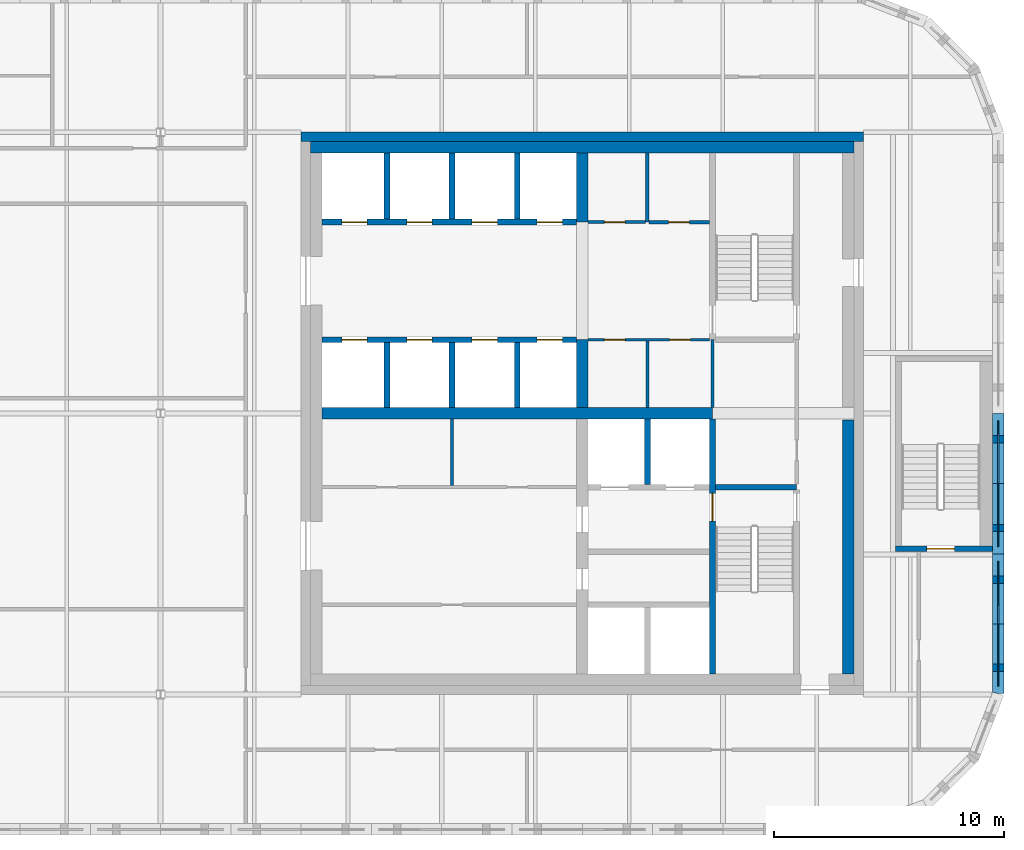
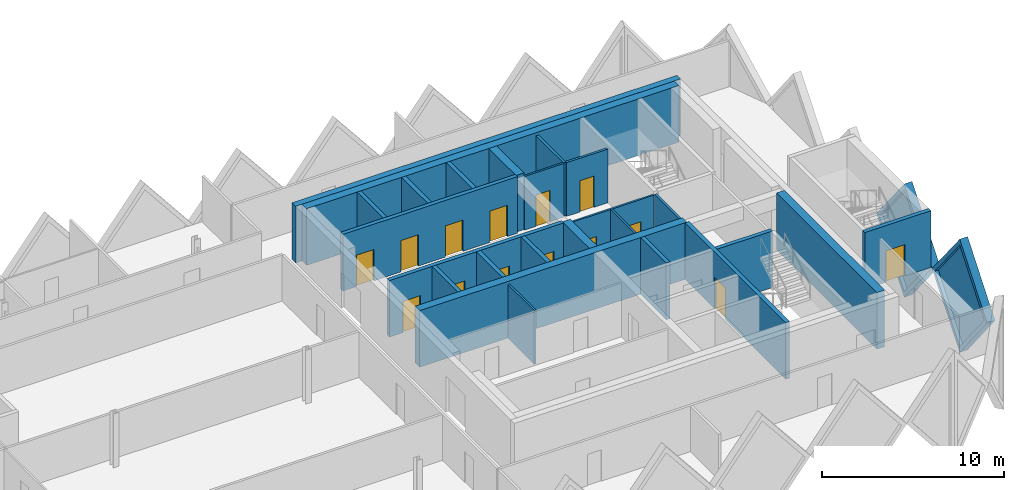
# One storey, part 6 of 10: 27 walls, 14 doors, 2 plates, 16 openings.
"""IFC4 building model written with IfcOpenShell, lengths in metres."""

from ifc_helpers import new_model, si_unit, direction, frame, frame_2d, origin, place, context, subcontext, project, spatial, polyline, rectangle, outline, extrude, faceted_brep, source, transform, mapped, material, layer, layer_set, type_object, element, fill, save


model = new_model("IFC4")

# Units and contexts
model_context = context("Model", 3, precision=1e-05, world=origin(), true_north=direction((0.0, 1.0)))
body_context = subcontext(model_context, "Body", "Model", "MODEL_VIEW")
ifc_project = project(units=[si_unit("LENGTHUNIT", "METRE"), si_unit("AREAUNIT", "SQUARE_METRE"), si_unit("VOLUMEUNIT", "CUBIC_METRE"), si_unit("PLANEANGLEUNIT", "RADIAN"), si_unit("MASSUNIT", "GRAM", prefix="KILO")], contexts=[model_context])

# Site, building, storey
site_placement = place(None, origin())
site = spatial("IfcSite", under=ifc_project, at=site_placement, CompositionType="ELEMENT")
building_placement = place(site_placement, origin())
building = spatial("IfcBuilding", under=site, at=building_placement, Name="Tessera Gate Towers", CompositionType="ELEMENT")
storey_placement = place(building_placement, frame((0.0, 0.0, 252.10009765625)))
storey = spatial("IfcBuildingStorey", under=building, at=storey_placement, Name="L63", CompositionType="ELEMENT", Elevation=252.10009765625)

# Wall, openings, doors
ifc_material_1 = material(Name="Concrete C40/50", Category="concrete")
ifc_layer_1 = layer(ifc_material_1, 0.25)
ifc_layer_set_1 = layer_set([ifc_layer_1], Name="CORE ENCLOSURE WALL 250")
wall_type_1 = type_object("IfcWallType", Name="CORE ENCLOSURE WALL 250", PredefinedType="SOLIDWALL", material=ifc_layer_set_1)
wall_1_placement = place(storey_placement, frame((31.39990234375, 39.800048828125, 0.0), z_axis=(0.0, 0.0, 1.0), x_axis=(1.0, 0.0, 0.0)))
wall_1 = element("IfcWall", 1, at=wall_1_placement, inside=storey, type_object=wall_type_1, Name="L63 shaft and stair enclosure wall", PredefinedType="SOLIDWALL", context=body_context, shape_type="SweptSolid", body=[
    extrude(rectangle(XDim=11.050048828125, YDim=0.25, at=frame_2d((5.52490234375, 0.0))), origin(), (0.0, 0.0, 1.0), 3.7998046875),
])
shared_shape_1 = source(origin(), body_context, "Body", "SweptSolid", [
    extrude(rectangle(XDim=1.10009765625, YDim=2.10009765625, at=frame_2d((0.550048828125, 1.050048828125))), frame((0.0, 0.135009765625, 0.0), z_axis=(0.0, -1.0, 0.0), x_axis=(1.0, 0.0, 0.0)), (0.0, 0.0, 1.0), 0.27001953125),
])
opening_1_placement = place(wall_1_placement, frame((0.862548828125, 0.0, 0.0)))
opening_1 = element("IfcOpeningElement", 2, at=opening_1_placement, cuts=wall_1, Name="Opening LD-HR1", PredefinedType="OPENING", context=body_context, shape_type="MappedRepresentation", body=[
    mapped(shared_shape_1, transform((0.0, 0.0, 0.0), scale=1.0)),
])
opening_2_placement = place(wall_1_placement, frame((3.6875, 0.0, 0.0)))
opening_2 = element("IfcOpeningElement", 3, at=opening_2_placement, cuts=wall_1, Name="Opening LD-HR2", PredefinedType="OPENING", context=body_context, shape_type="MappedRepresentation", body=[
    mapped(shared_shape_1, transform((0.0, 0.0, 0.0), scale=1.0)),
])
opening_3_placement = place(wall_1_placement, frame((6.512451171875, 0.0, 0.0)))
opening_3 = element("IfcOpeningElement", 4, at=opening_3_placement, cuts=wall_1, Name="Opening LD-HR3", PredefinedType="OPENING", context=body_context, shape_type="MappedRepresentation", body=[
    mapped(shared_shape_1, transform((0.0, 0.0, 0.0), scale=1.0)),
])
opening_4_placement = place(wall_1_placement, frame((9.33740234375, 0.0, 0.0)))
opening_4 = element("IfcOpeningElement", 5, at=opening_4_placement, cuts=wall_1, Name="Opening LD-HR4", PredefinedType="OPENING", context=body_context, shape_type="MappedRepresentation", body=[
    mapped(shared_shape_1, transform((0.0, 0.0, 0.0), scale=1.0)),
])
ifc_material_2 = material(Name="Stainless steel", Category="steel")
door_type_1 = type_object("IfcDoorType", Name="CORE DOOR LD 1100x2100", OperationType="DOUBLE_DOOR_SLIDING", PredefinedType="DOOR", material=ifc_material_2)
shared_shape_2 = source(origin(), body_context, "Body", "SweptSolid", [
    extrude(rectangle(XDim=1.10009765625, YDim=2.10009765625, at=frame_2d((0.550048828125, 1.050048828125))), frame((0.0, 0.02490234375, 0.0), z_axis=(0.0, -1.0, 0.0), x_axis=(1.0, 0.0, 0.0)), (0.0, 0.0, 1.0), 0.050048828125),
])
door_1_placement = place(opening_1_placement, origin())
door_1 = element("IfcDoor", 6, at=door_1_placement, inside=storey, type_object=door_type_1, Name="Landing door HR1 L63", OperationType="DOUBLE_DOOR_SLIDING", OverallHeight=2.10009765625, OverallWidth=1.10009765625, PredefinedType="DOOR", context=body_context, shape_type="MappedRepresentation", body=[
    mapped(shared_shape_2, transform((0.0, 0.0, 0.0), scale=1.0)),
])
fill(opening_1, door_1)
door_2_placement = place(opening_2_placement, origin())
door_2 = element("IfcDoor", 7, at=door_2_placement, inside=storey, type_object=door_type_1, Name="Landing door HR2 L63", OperationType="DOUBLE_DOOR_SLIDING", OverallHeight=2.10009765625, OverallWidth=1.10009765625, PredefinedType="DOOR", context=body_context, shape_type="MappedRepresentation", body=[
    mapped(shared_shape_2, transform((0.0, 0.0, 0.0), scale=1.0)),
])
fill(opening_2, door_2)
door_3_placement = place(opening_3_placement, origin())
door_3 = element("IfcDoor", 8, at=door_3_placement, inside=storey, type_object=door_type_1, Name="Landing door HR3 L63", OperationType="DOUBLE_DOOR_SLIDING", OverallHeight=2.10009765625, OverallWidth=1.10009765625, PredefinedType="DOOR", context=body_context, shape_type="MappedRepresentation", body=[
    mapped(shared_shape_2, transform((0.0, 0.0, 0.0), scale=1.0)),
])
fill(opening_3, door_3)
door_4_placement = place(opening_4_placement, origin())
door_4 = element("IfcDoor", 9, at=door_4_placement, inside=storey, type_object=door_type_1, Name="Landing door HR4 L63", OperationType="DOUBLE_DOOR_SLIDING", OverallHeight=2.10009765625, OverallWidth=1.10009765625, PredefinedType="DOOR", context=body_context, shape_type="MappedRepresentation", body=[
    mapped(shared_shape_2, transform((0.0, 0.0, 0.0), scale=1.0)),
])
fill(opening_4, door_4)

wall_2_placement = place(storey_placement, frame((42.449951171875, 44.89990234375, 0.0), z_axis=(0.0, 0.0, 1.0), x_axis=(-1.0, 0.0, 0.0)))
wall_2 = element("IfcWall", 10, at=wall_2_placement, inside=storey, type_object=wall_type_1, Name="L63 shaft and stair enclosure wall", PredefinedType="SOLIDWALL", context=body_context, shape_type="SweptSolid", body=[
    extrude(rectangle(XDim=11.050048828125, YDim=0.25, at=frame_2d((5.52490234375, 0.0))), origin(), (0.0, 0.0, 1.0), 3.7998046875),
])
opening_5_placement = place(wall_2_placement, frame((9.08740234375, 0.0, 0.0)))
opening_5 = element("IfcOpeningElement", 11, at=opening_5_placement, cuts=wall_2, Name="Opening LD-HR5", PredefinedType="OPENING", context=body_context, shape_type="MappedRepresentation", body=[
    mapped(shared_shape_1, transform((0.0, 0.0, 0.0), scale=1.0)),
])
opening_6_placement = place(wall_2_placement, frame((6.262451171875, 0.0, 0.0)))
opening_6 = element("IfcOpeningElement", 12, at=opening_6_placement, cuts=wall_2, Name="Opening LD-HR6", PredefinedType="OPENING", context=body_context, shape_type="MappedRepresentation", body=[
    mapped(shared_shape_1, transform((0.0, 0.0, 0.0), scale=1.0)),
])
opening_7_placement = place(wall_2_placement, frame((3.4375, 0.0, 0.0)))
opening_7 = element("IfcOpeningElement", 13, at=opening_7_placement, cuts=wall_2, Name="Opening LD-HR7", PredefinedType="OPENING", context=body_context, shape_type="MappedRepresentation", body=[
    mapped(shared_shape_1, transform((0.0, 0.0, 0.0), scale=1.0)),
])
opening_8_placement = place(wall_2_placement, frame((0.612548828125, 0.0, 0.0)))
opening_8 = element("IfcOpeningElement", 14, at=opening_8_placement, cuts=wall_2, Name="Opening LD-HR8", PredefinedType="OPENING", context=body_context, shape_type="MappedRepresentation", body=[
    mapped(shared_shape_1, transform((0.0, 0.0, 0.0), scale=1.0)),
])
door_5_placement = place(opening_5_placement, origin())
door_5 = element("IfcDoor", 15, at=door_5_placement, inside=storey, type_object=door_type_1, Name="Landing door HR5 L63", OperationType="DOUBLE_DOOR_SLIDING", OverallHeight=2.10009765625, OverallWidth=1.10009765625, PredefinedType="DOOR", context=body_context, shape_type="MappedRepresentation", body=[
    mapped(shared_shape_2, transform((0.0, 0.0, 0.0), scale=1.0)),
])
fill(opening_5, door_5)
door_6_placement = place(opening_6_placement, origin())
door_6 = element("IfcDoor", 16, at=door_6_placement, inside=storey, type_object=door_type_1, Name="Landing door HR6 L63", OperationType="DOUBLE_DOOR_SLIDING", OverallHeight=2.10009765625, OverallWidth=1.10009765625, PredefinedType="DOOR", context=body_context, shape_type="MappedRepresentation", body=[
    mapped(shared_shape_2, transform((0.0, 0.0, 0.0), scale=1.0)),
])
fill(opening_6, door_6)
door_7_placement = place(opening_7_placement, origin())
door_7 = element("IfcDoor", 17, at=door_7_placement, inside=storey, type_object=door_type_1, Name="Landing door HR7 L63", OperationType="DOUBLE_DOOR_SLIDING", OverallHeight=2.10009765625, OverallWidth=1.10009765625, PredefinedType="DOOR", context=body_context, shape_type="MappedRepresentation", body=[
    mapped(shared_shape_2, transform((0.0, 0.0, 0.0), scale=1.0)),
])
fill(opening_7, door_7)
door_8_placement = place(opening_8_placement, origin())
door_8 = element("IfcDoor", 18, at=door_8_placement, inside=storey, type_object=door_type_1, Name="Landing door HR8 L63", OperationType="DOUBLE_DOOR_SLIDING", OverallHeight=2.10009765625, OverallWidth=1.10009765625, PredefinedType="DOOR", context=body_context, shape_type="MappedRepresentation", body=[
    mapped(shared_shape_2, transform((0.0, 0.0, 0.0), scale=1.0)),
])
fill(opening_8, door_8)

# Wall, opening, door
wall_3_placement = place(storey_placement, frame((48.35009765625, 36.35009765625, 0.0), z_axis=(0.0, 0.0, 1.0), x_axis=(0.0, -1.0, 0.0)))
wall_3 = element("IfcWall", 19, at=wall_3_placement, inside=storey, type_object=wall_type_1, Name="L63 shaft and stair enclosure wall", PredefinedType="SOLIDWALL", context=body_context, shape_type="SweptSolid", body=[
    extrude(rectangle(XDim=11.050048828125, YDim=0.25, at=frame_2d((5.52490234375, 0.0))), origin(), (0.0, 0.0, 1.0), 3.7998046875),
])
shared_shape_3 = source(origin(), body_context, "Body", "SweptSolid", [
    extrude(rectangle(XDim=1.199951171875, YDim=2.10009765625, at=frame_2d((0.60009765625, 1.050048828125))), frame((0.0, 0.135009765625, 0.0), z_axis=(0.0, -1.0, 0.0), x_axis=(1.0, 0.0, 0.0)), (0.0, 0.0, 1.0), 0.27001953125),
])
opening_9_placement = place(wall_3_placement, frame((3.22509765625, 0.0, 0.0)))
opening_9 = element("IfcOpeningElement", 20, at=opening_9_placement, cuts=wall_3, Name="Opening SD-ST1-1", PredefinedType="OPENING", context=body_context, shape_type="MappedRepresentation", body=[
    mapped(shared_shape_3, transform((0.0, 0.0, 0.0), scale=1.0)),
])
ifc_material_3 = material(Name="Hollow steel fire door", Category="steel")
door_type_2 = type_object("IfcDoorType", Name="CORE DOOR SD 1200x2100", OperationType="NOTDEFINED", PredefinedType="DOOR", material=ifc_material_3)
shared_shape_4 = source(origin(), body_context, "Body", "SweptSolid", [
    extrude(rectangle(XDim=1.199951171875, YDim=2.10009765625, at=frame_2d((0.60009765625, 1.050048828125))), frame((0.0, 0.02490234375, 0.0), z_axis=(0.0, -1.0, 0.0), x_axis=(1.0, 0.0, 0.0)), (0.0, 0.0, 1.0), 0.050048828125),
])
door_9_placement = place(opening_9_placement, origin())
door_9 = element("IfcDoor", 21, at=door_9_placement, inside=storey, type_object=door_type_2, Name="Stair door", OperationType="SINGLE_SWING_LEFT", OverallHeight=2.10009765625, OverallWidth=1.199951171875, PredefinedType="DOOR", context=body_context, shape_type="MappedRepresentation", body=[
    mapped(shared_shape_4, transform((0.0, 0.0, 0.0), scale=1.0)),
])
fill(opening_9, door_9)

# Walls
wall_4_placement = place(storey_placement, frame((48.47509765625, 33.39990234375, 0.0), z_axis=(0.0, 0.0, 1.0), x_axis=(1.0, 0.0, 0.0)))
element("IfcWall", 22, at=wall_4_placement, inside=storey, type_object=wall_type_1, Name="L63 shaft and stair enclosure wall", PredefinedType="SOLIDWALL", context=body_context, shape_type="SweptSolid", body=[
    extrude(rectangle(XDim=3.52490234375, YDim=0.25, at=frame_2d((1.762451171875, 0.0))), origin(), (0.0, 0.0, 1.0), 3.7998046875),
])
for number, where, z_axis, x_axis, name in (
    (23, (34.22509765625, 36.85009765625, 0.0), (0.0, 0.0, 1.0), (0.0, 1.0, 0.0), "L63 shaft and stair enclosure wall"),
    (24, (37.050048828125, 36.85009765625, 0.0), (0.0, 0.0, 1.0), (0.0, 1.0, 0.0), "L63 shaft and stair enclosure wall"),
    (25, (39.875, 36.85009765625, 0.0), (0.0, 0.0, 1.0), (0.0, 1.0, 0.0), "L63 shaft and stair enclosure wall"),
):
    element("IfcWall", number, at=place(storey_placement, frame(where, z_axis=z_axis, x_axis=x_axis)), inside=storey, type_object=wall_type_1, Name=name, PredefinedType="SOLIDWALL", context=body_context, shape_type="SweptSolid", body=[
        extrude(rectangle(XDim=2.824951171875, YDim=0.25, at=frame_2d((1.41259765625, 0.0))), origin(), (0.0, 0.0, 1.0), 3.7998046875),
    ])
wall_5_placement = place(storey_placement, frame((45.52490234375, 33.52490234375, 0.0), z_axis=(0.0, 0.0, 1.0), x_axis=(0.0, 1.0, 0.0)))
element("IfcWall", 26, at=wall_5_placement, inside=storey, type_object=wall_type_1, Name="L63 shaft and stair enclosure wall", PredefinedType="SOLIDWALL", context=body_context, shape_type="SweptSolid", body=[
    extrude(rectangle(XDim=2.8251953125, YDim=0.25, at=frame_2d((1.41259765625, 0.0))), origin(), (0.0, 0.0, 1.0), 3.7998046875),
])
for number, where, z_axis, x_axis, name in (
    (27, (34.22509765625, 45.02490234375, 0.0), (0.0, 0.0, 1.0), (0.0, 1.0, 0.0), "L63 shaft and stair enclosure wall"),
    (28, (37.050048828125, 45.02490234375, 0.0), (0.0, 0.0, 1.0), (0.0, 1.0, 0.0), "L63 shaft and stair enclosure wall"),
    (29, (39.875, 45.02490234375, 0.0), (0.0, 0.0, 1.0), (0.0, 1.0, 0.0), "L63 shaft and stair enclosure wall"),
):
    element("IfcWall", number, at=place(storey_placement, frame(where, z_axis=z_axis, x_axis=x_axis)), inside=storey, type_object=wall_type_1, Name=name, PredefinedType="SOLIDWALL", context=body_context, shape_type="SweptSolid", body=[
        extrude(rectangle(XDim=2.875, YDim=0.25, at=frame_2d((1.4375, 0.0))), origin(), (0.0, 0.0, 1.0), 3.7998046875),
    ])

# Wall, opening, door
wall_6_placement = place(storey_placement, frame((60.5, 30.72509765625, 0.0), z_axis=(0.0, 0.0, 1.0), x_axis=(-1.0, 0.0, 0.0)))
wall_6 = element("IfcWall", 30, at=wall_6_placement, inside=storey, type_object=wall_type_1, Name="L63 ST5 enclosure wall", PredefinedType="SOLIDWALL", context=body_context, shape_type="SweptSolid", body=[
    extrude(rectangle(XDim=4.199951171875, YDim=0.25, at=frame_2d((2.10009765625, 0.0))), origin(), (0.0, 0.0, 1.0), 3.7998046875),
])
opening_10_placement = place(wall_6_placement, frame((1.64990234375, 0.0, 0.0)))
opening_10 = element("IfcOpeningElement", 31, at=opening_10_placement, cuts=wall_6, Name="Opening SD-ST5-1", PredefinedType="OPENING", context=body_context, shape_type="MappedRepresentation", body=[
    mapped(shared_shape_3, transform((0.0, 0.0, 0.0), scale=1.0)),
])
door_10_placement = place(opening_10_placement, origin())
door_10 = element("IfcDoor", 32, at=door_10_placement, inside=storey, type_object=door_type_2, Name="Stair door", OperationType="SINGLE_SWING_RIGHT", OverallHeight=2.10009765625, OverallWidth=1.199951171875, PredefinedType="DOOR", context=body_context, shape_type="MappedRepresentation", body=[
    mapped(shared_shape_4, transform((0.0, 0.0, 0.0), scale=1.0)),
])
fill(opening_10, door_10)

# Wall, openings, doors
ifc_material_4 = material(Name="Gypsum board on steel studs", Category="steel")
ifc_layer_2 = layer(ifc_material_4, 0.1201171875)
ifc_layer_set_2 = layer_set([ifc_layer_2], Name="CORE PARTITION 120")
wall_type_2 = type_object("IfcWallType", Name="CORE PARTITION 120", PredefinedType="PARTITIONING", material=ifc_layer_set_2)
wall_7_placement = place(storey_placement, frame((48.22509765625, 39.800048828125, 0.0), z_axis=(0.0, 0.0, 1.0), x_axis=(-1.0, 0.0, 0.0)))
wall_7 = element("IfcWall", 33, at=wall_7_placement, inside=storey, type_object=wall_type_2, Name="L63 core partition", PredefinedType="PARTITIONING", context=body_context, shape_type="SweptSolid", body=[
    extrude(rectangle(XDim=5.275146484375, YDim=0.1201171875, at=frame_2d((2.6376953125, 0.0))), origin(), (0.0, 0.0, 1.0), 3.599853515625),
])
shared_shape_5 = source(origin(), body_context, "Body", "SweptSolid", [
    extrude(rectangle(XDim=0.89990234375, YDim=2.10009765625, at=frame_2d((0.449951171875, 1.050048828125))), frame((0.0, 0.070068359375, 0.0), z_axis=(0.0, -1.0, 0.0), x_axis=(1.0, 0.0, 0.0)), (0.0, 0.0, 1.0), 0.14013671875),
])
opening_11_placement = place(wall_7_placement, frame((3.66259765625, 0.0, 0.0)))
opening_11 = element("IfcOpeningElement", 34, at=opening_11_placement, cuts=wall_7, Name="Opening RD-T1-37-11", PredefinedType="OPENING", context=body_context, shape_type="MappedRepresentation", body=[
    mapped(shared_shape_5, transform((0.0, 0.0, 0.0), scale=1.0)),
])
opening_12_placement = place(wall_7_placement, frame((0.83740234375, 0.0, 0.0)))
opening_12 = element("IfcOpeningElement", 35, at=opening_12_placement, cuts=wall_7, Name="Opening RD-T1-37-12", PredefinedType="OPENING", context=body_context, shape_type="MappedRepresentation", body=[
    mapped(shared_shape_5, transform((0.0, 0.0, 0.0), scale=1.0)),
])
ifc_material_5 = material(Name="Hollow steel fire door", Category="steel")
door_type_3 = type_object("IfcDoorType", Name="CORE DOOR RD 900x2100", OperationType="NOTDEFINED", PredefinedType="DOOR", material=ifc_material_5)
shared_shape_6 = source(origin(), body_context, "Body", "SweptSolid", [
    extrude(rectangle(XDim=0.89990234375, YDim=2.10009765625, at=frame_2d((0.449951171875, 1.050048828125))), frame((0.0, 0.02490234375, 0.0), z_axis=(0.0, -1.0, 0.0), x_axis=(1.0, 0.0, 0.0)), (0.0, 0.0, 1.0), 0.050048828125),
])
door_11_placement = place(opening_11_placement, origin())
door_11 = element("IfcDoor", 36, at=door_11_placement, inside=storey, type_object=door_type_3, Name="Core room door", OperationType="SINGLE_SWING_RIGHT", OverallHeight=2.10009765625, OverallWidth=0.89990234375, PredefinedType="DOOR", context=body_context, shape_type="MappedRepresentation", body=[
    mapped(shared_shape_6, transform((0.0, 0.0, 0.0), scale=1.0)),
])
fill(opening_11, door_11)
door_12_placement = place(opening_12_placement, origin())
door_12 = element("IfcDoor", 37, at=door_12_placement, inside=storey, type_object=door_type_3, Name="Core room door", OperationType="SINGLE_SWING_LEFT", OverallHeight=2.10009765625, OverallWidth=0.89990234375, PredefinedType="DOOR", context=body_context, shape_type="MappedRepresentation", body=[
    mapped(shared_shape_6, transform((0.0, 0.0, 0.0), scale=1.0)),
])
fill(opening_12, door_12)

# Walls
wall_8_placement = place(storey_placement, frame((45.52490234375, 36.85009765625, 0.0), z_axis=(0.0, 0.0, 1.0), x_axis=(0.0, 1.0, 0.0)))
element("IfcWall", 38, at=wall_8_placement, inside=storey, type_object=wall_type_2, Name="L63 core partition", PredefinedType="PARTITIONING", context=body_context, shape_type="SweptSolid", body=[
    extrude(rectangle(XDim=2.889892578125, YDim=0.1201171875, at=frame_2d((1.44482421875, 0.0))), origin(), (0.0, 0.0, 1.0), 3.599853515625),
])
wall_9_placement = place(storey_placement, frame((37.050048828125, 33.4599609375, 0.0), z_axis=(0.0, 0.0, 1.0), x_axis=(0.0, 1.0, 0.0)))
element("IfcWall", 39, at=wall_9_placement, inside=storey, type_object=wall_type_2, Name="L63 core partition", PredefinedType="PARTITIONING", context=body_context, shape_type="SweptSolid", body=[
    extrude(rectangle(XDim=2.89013671875, YDim=0.1201171875, at=frame_2d((1.445068359375, 0.0))), origin(), (0.0, 0.0, 1.0), 3.599853515625),
])

# Wall, opening, door
wall_10_placement = place(storey_placement, frame((42.949951171875, 44.89990234375, 0.0), z_axis=(0.0, 0.0, 1.0), x_axis=(1.0, 0.0, 0.0)))
wall_10 = element("IfcWall", 40, at=wall_10_placement, inside=storey, type_object=wall_type_2, Name="L63 core partition", PredefinedType="PARTITIONING", context=body_context, shape_type="SweptSolid", body=[
    extrude(rectangle(XDim=2.5, YDim=0.1201171875, at=frame_2d((1.25, 0.0))), origin(), (0.0, 0.0, 1.0), 3.599853515625),
])
opening_13_placement = place(wall_10_placement, frame((0.71240234375, 0.0, 0.0)))
opening_13 = element("IfcOpeningElement", 41, at=opening_13_placement, cuts=wall_10, Name="Opening RD-T1-37-13", PredefinedType="OPENING", context=body_context, shape_type="MappedRepresentation", body=[
    mapped(shared_shape_5, transform((0.0, 0.0, 0.0), scale=1.0)),
])
door_13_placement = place(opening_13_placement, origin())
door_13 = element("IfcDoor", 42, at=door_13_placement, inside=storey, type_object=door_type_3, Name="Core room door", OperationType="SINGLE_SWING_LEFT", OverallHeight=2.10009765625, OverallWidth=0.89990234375, PredefinedType="DOOR", context=body_context, shape_type="MappedRepresentation", body=[
    mapped(shared_shape_6, transform((0.0, 0.0, 0.0), scale=1.0)),
])
fill(opening_13, door_13)

# Walls
ifc_material_6 = material(Name="Concrete C40/50", Category="concrete")
ifc_layer_3 = layer(ifc_material_6, 0.39990234375)
ifc_layer_set_3 = layer_set([ifc_layer_3], Name="CORE SHEAR WALL 400 C40/50")
wall_type_3 = type_object("IfcWallType", Name="CORE SHEAR WALL 400 C40/50", PredefinedType="SHEAR", material=ifc_layer_set_3)
wall_11_placement = place(storey_placement, frame((30.5, 48.60009765625, 0.0), z_axis=(0.0, 0.0, 1.0), x_axis=(1.0, 0.0, 0.0)))
element("IfcWall", 43, at=wall_11_placement, inside=storey, type_object=wall_type_3, Name="Core wall N L63", PredefinedType="SHEAR", context=body_context, shape_type="SweptSolid", body=[
    extrude(rectangle(XDim=24.39990234375, YDim=0.39990234375, at=frame_2d((12.199951171875, 0.0))), origin(), (0.0, 0.0, 1.0), 3.7998046875),
])
ifc_material_7 = material(Name="Concrete C40/50", Category="concrete")
ifc_layer_4 = layer(ifc_material_7, 0.5)
ifc_layer_set_4 = layer_set([ifc_layer_4], Name="CORE SPINE WALL 500 C40/50")
wall_type_4 = type_object("IfcWallType", Name="CORE SPINE WALL 500 C40/50", PredefinedType="SHEAR", material=ifc_layer_set_4)
wall_12_placement = place(storey_placement, frame((31.39990234375, 36.60009765625, 0.0), z_axis=(0.0, 0.0, 1.0), x_axis=(1.0, 0.0, 0.0)))
element("IfcWall", 44, at=wall_12_placement, inside=storey, type_object=wall_type_4, Name="Core wall spine L63", PredefinedType="SHEAR", context=body_context, shape_type="SweptSolid", body=[
    extrude(rectangle(XDim=16.9501953125, YDim=0.5, at=frame_2d((8.47509765625, 0.0))), origin(), (0.0, 0.0, 1.0), 3.7998046875),
])
wall_13_placement = place(storey_placement, frame((42.699951171875, 36.85009765625, 0.0), z_axis=(0.0, 0.0, 1.0), x_axis=(0.0, 1.0, 0.0)))
element("IfcWall", 45, at=wall_13_placement, inside=storey, type_object=wall_type_4, Name="Core wall spine L63", PredefinedType="SHEAR", context=body_context, shape_type="SweptSolid", body=[
    extrude(rectangle(XDim=2.949951171875, YDim=0.5, at=frame_2d((1.47509765625, 0.0))), origin(), (0.0, 0.0, 1.0), 3.7998046875),
])
wall_14_placement = place(storey_placement, frame((42.699951171875, 44.89990234375, 0.0), z_axis=(0.0, 0.0, 1.0), x_axis=(0.0, 1.0, 0.0)))
element("IfcWall", 46, at=wall_14_placement, inside=storey, type_object=wall_type_4, Name="Core wall spine L63", PredefinedType="SHEAR", context=body_context, shape_type="SweptSolid", body=[
    extrude(rectangle(XDim=3.0, YDim=0.5, at=frame_2d((1.5, 0.0))), origin(), (0.0, 0.0, 1.0), 3.7998046875),
])
ifc_material_8 = material(Name="Concrete C40/50", Category="concrete")
ifc_layer_5 = layer(ifc_material_8, 0.5)
ifc_layer_set_5 = layer_set([ifc_layer_5], Name="CORE WALL THICKENING 500")
wall_type_5 = type_object("IfcWallType", Name="CORE WALL THICKENING 500", PredefinedType="SOLIDWALL", material=ifc_layer_set_5)
wall_15_placement = place(storey_placement, frame((30.89990234375, 48.14990234375, 0.0), z_axis=(0.0, 0.0, 1.0), x_axis=(1.0, 0.0, 0.0)))
element("IfcWall", 47, at=wall_15_placement, inside=storey, type_object=wall_type_5, Name="Core wall thickening N L63", PredefinedType="SOLIDWALL", context=body_context, shape_type="SweptSolid", body=[
    extrude(rectangle(XDim=23.60009765625, YDim=0.5, at=frame_2d((11.800048828125, 0.0))), origin(), (0.0, 0.0, 1.0), 3.7998046875),
])
wall_16_placement = place(storey_placement, frame((54.25, 25.300048828125, 0.0), z_axis=(0.0, 0.0, 1.0), x_axis=(0.0, 1.0, 0.0)))
element("IfcWall", 48, at=wall_16_placement, inside=storey, type_object=wall_type_5, Name="Core wall thickening E L63", PredefinedType="SOLIDWALL", context=body_context, shape_type="SweptSolid", body=[
    extrude(rectangle(XDim=11.02001953125, YDim=0.5, at=frame_2d((5.510009765625, 0.0))), origin(), (0.0, 0.0, 1.0), 3.7998046875),
])
ifc_material_9 = material(Name="Gypsum board on steel studs", Category="steel")
ifc_layer_6 = layer(ifc_material_9, 0.14990234375)
ifc_layer_set_6 = layer_set([ifc_layer_6], Name="SERVICE ROOM WALL 150")
wall_type_6 = type_object("IfcWallType", Name="SERVICE ROOM WALL 150", PredefinedType="PARTITIONING", material=ifc_layer_set_6)
wall_17_placement = place(storey_placement, frame((48.35009765625, 36.85009765625, 0.0), z_axis=(0.0, 0.0, 1.0), x_axis=(0.0, 1.0, 0.0)))
element("IfcWall", 49, at=wall_17_placement, inside=storey, type_object=wall_type_6, Name="L63 service room wall", PredefinedType="PARTITIONING", context=body_context, shape_type="SweptSolid", body=[
    extrude(rectangle(XDim=2.949951171875, YDim=0.14990234375, at=frame_2d((1.47509765625, 0.0))), origin(), (0.0, 0.0, 1.0), 3.599853515625),
])
wall_18_placement = place(storey_placement, frame((45.52490234375, 44.89990234375, 0.0), z_axis=(0.0, 0.0, 1.0), x_axis=(0.0, 1.0, 0.0)))
element("IfcWall", 50, at=wall_18_placement, inside=storey, type_object=wall_type_6, Name="L63 service room wall", PredefinedType="PARTITIONING", context=body_context, shape_type="SweptSolid", body=[
    extrude(rectangle(XDim=3.0, YDim=0.14990234375, at=frame_2d((1.5, 0.0))), origin(), (0.0, 0.0, 1.0), 3.599853515625),
])

# Wall, opening, door
wall_19_placement = place(storey_placement, frame((45.60009765625, 44.89990234375, 0.0), z_axis=(0.0, 0.0, 1.0), x_axis=(1.0, 0.0, 0.0)))
wall_19 = element("IfcWall", 51, at=wall_19_placement, inside=storey, type_object=wall_type_6, Name="L63 service room wall", PredefinedType="PARTITIONING", context=body_context, shape_type="SweptSolid", body=[
    extrude(rectangle(XDim=2.625, YDim=0.14990234375, at=frame_2d((1.3125, 0.0))), origin(), (0.0, 0.0, 1.0), 3.599853515625),
])
shared_shape_7 = source(origin(), body_context, "Body", "SweptSolid", [
    extrude(rectangle(XDim=0.89990234375, YDim=2.10009765625, at=frame_2d((0.449951171875, 1.050048828125))), frame((0.0, 0.0849609375, 0.0), z_axis=(0.0, -1.0, 0.0), x_axis=(1.0, 0.0, 0.0)), (0.0, 0.0, 1.0), 0.169921875),
])
opening_14_placement = place(wall_19_placement, frame((0.85009765625, 0.0, 0.0)))
opening_14 = element("IfcOpeningElement", 52, at=opening_14_placement, cuts=wall_19, Name="Opening RD-T1-37-14", PredefinedType="OPENING", context=body_context, shape_type="MappedRepresentation", body=[
    mapped(shared_shape_7, transform((0.0, 0.0, 0.0), scale=1.0)),
])
door_14_placement = place(opening_14_placement, origin())
door_14 = element("IfcDoor", 53, at=door_14_placement, inside=storey, type_object=door_type_3, Name="Core room door", OperationType="SINGLE_SWING_LEFT", OverallHeight=2.10009765625, OverallWidth=0.89990234375, PredefinedType="DOOR", context=body_context, shape_type="MappedRepresentation", body=[
    mapped(shared_shape_6, transform((0.0, 0.0, 0.0), scale=1.0)),
])
fill(opening_14, door_14)

# Wall, opening, plate
ifc_material_10 = material(Name="Precast concrete C60/75 white", Category="concrete")
ifc_layer_7 = layer(ifc_material_10, 0.5)
ifc_layer_set_7 = layer_set([ifc_layer_7], Name="TS1 tessera")
wall_type_7 = type_object("IfcWallType", Name="TS1 tessera", PredefinedType="SOLIDWALL", material=ifc_layer_set_7)
shared_shape_8 = source(origin(), body_context, "Body", "Brep", [
    faceted_brep([(3.00341796875, -0.25, 0.0), (6.053466796875, -0.25, 3.800048828125), (3.00341796875, -0.25, 7.599853515625), (0.0, -0.25, 3.800048828125), (0.046630859375, 0.25, 3.85888671875), (3.00341796875, 0.25, 7.599853515625), (6.053466796875, 0.25, 3.800048828125), (3.00341796875, 0.25, 0.0), (0.046630859375, 0.25, 3.7412109375), (0.0, 0.0, 3.800048828125)], [[[0, 1, 2, 3]], [[4, 5, 6, 7, 8]], [[7, 6, 1, 0]], [[6, 5, 2, 1]], [[5, 4, 9, 3, 2]], [[8, 7, 0, 3, 9]], [[8, 9, 4]]]),
])
wall_20_placement = place(storey_placement, frame((60.75, 24.446533203125, -3.800048828125), z_axis=(0.0, 0.0, 1.0), x_axis=(0.0, 1.0, 0.0)))
wall_20 = element("IfcWall", 54, at=wall_20_placement, inside=storey, type_object=wall_type_7, Name="Precast tessera T1 TS1-1108", PredefinedType="SOLIDWALL", context=body_context, shape_type="MappedRepresentation", body=[
    mapped(shared_shape_8, transform((0.0, 0.0, 0.0), scale=1.0)),
])
shared_shape_9 = source(origin(), body_context, "Body", "SweptSolid", [
    extrude(outline(polyline([(3.0048828125, 0.401123046875), (5.73291015625, 3.800048828125), (3.0048828125, 7.19873046875), (0.318603515625, 3.800048828125), (3.0048828125, 0.401123046875)])), frame((0.0, 0.260009765625, 0.0), z_axis=(0.0, -1.0, 0.0), x_axis=(1.0, 0.0, 0.0)), (0.0, 0.0, 1.0), 0.52001953125),
])
opening_15_placement = place(wall_20_placement, origin())
opening_15 = element("IfcOpeningElement", 55, at=opening_15_placement, cuts=wall_20, Name="Opening T1-PL2-2246", PredefinedType="OPENING", context=body_context, shape_type="MappedRepresentation", body=[
    mapped(shared_shape_9, transform((0.0, 0.0, 0.0), scale=1.0)),
])
ifc_material_11 = material(Name="Low-e laminated glass", Category="glass")
ifc_layer_8 = layer(ifc_material_11, 0.06005859375)
ifc_layer_set_8 = layer_set([ifc_layer_8], Name="PL2 rhombic pane")
plate_type = type_object("IfcPlateType", Name="PL2 rhombic pane", PredefinedType="SHEET", material=ifc_layer_set_8)
shared_shape_10 = source(origin(), body_context, "Body", "SweptSolid", [
    extrude(outline(polyline([(3.0048828125, 0.401123046875), (5.73291015625, 3.800048828125), (3.0048828125, 7.19873046875), (0.318603515625, 3.800048828125), (3.0048828125, 0.401123046875)])), frame((0.0, 0.030029296875, 0.0), z_axis=(0.0, -1.0, 0.0), x_axis=(1.0, 0.0, 0.0)), (0.0, 0.0, 1.0), 0.06005859375),
])
plate_1_placement = place(opening_15_placement, origin())
plate_1 = element("IfcPlate", 56, at=plate_1_placement, inside=storey, type_object=plate_type, Name="Glass pane T1 PL2-2246", PredefinedType="SHEET", context=body_context, shape_type="MappedRepresentation", body=[
    mapped(shared_shape_10, transform((0.0, 0.0, 0.0), scale=1.0)),
])
fill(opening_15, plate_1)

shared_shape_11 = source(origin(), body_context, "Body", "SweptSolid", [
    extrude(outline(polyline([(3.050048828125, 0.0), (6.10009765625, 3.800048828125), (3.050048828125, 7.599853515625), (0.0, 3.800048828125), (3.050048828125, 0.0)])), frame((0.0, 0.25, 0.0), z_axis=(0.0, -1.0, 0.0), x_axis=(1.0, 0.0, 0.0)), (0.0, 0.0, 1.0), 0.5),
])
wall_21_placement = place(storey_placement, frame((60.75, 30.5, -3.800048828125), z_axis=(0.0, 0.0, 1.0), x_axis=(0.0, 1.0, 0.0)))
wall_21 = element("IfcWall", 57, at=wall_21_placement, inside=storey, type_object=wall_type_7, Name="Precast tessera T1 TS1-1109", PredefinedType="SOLIDWALL", context=body_context, shape_type="MappedRepresentation", body=[
    mapped(shared_shape_11, transform((0.0, 0.0, 0.0), scale=1.0)),
])
shared_shape_12 = source(origin(), body_context, "Body", "SweptSolid", [
    extrude(outline(polyline([(3.050048828125, 0.3994140625), (5.779541015625, 3.800048828125), (3.050048828125, 7.200439453125), (0.320556640625, 3.800048828125), (3.050048828125, 0.3994140625)])), frame((0.0, 0.260009765625, 0.0), z_axis=(0.0, -1.0, 0.0), x_axis=(1.0, 0.0, 0.0)), (0.0, 0.0, 1.0), 0.52001953125),
])
opening_16_placement = place(wall_21_placement, origin())
opening_16 = element("IfcOpeningElement", 58, at=opening_16_placement, cuts=wall_21, Name="Opening T1-PL2-2247", PredefinedType="OPENING", context=body_context, shape_type="MappedRepresentation", body=[
    mapped(shared_shape_12, transform((0.0, 0.0, 0.0), scale=1.0)),
])
shared_shape_13 = source(origin(), body_context, "Body", "SweptSolid", [
    extrude(outline(polyline([(3.050048828125, 0.3994140625), (5.779541015625, 3.800048828125), (3.050048828125, 7.200439453125), (0.320556640625, 3.800048828125), (3.050048828125, 0.3994140625)])), frame((0.0, 0.030029296875, 0.0), z_axis=(0.0, -1.0, 0.0), x_axis=(1.0, 0.0, 0.0)), (0.0, 0.0, 1.0), 0.06005859375),
])
plate_2_placement = place(opening_16_placement, origin())
plate_2 = element("IfcPlate", 59, at=plate_2_placement, inside=storey, type_object=plate_type, Name="Glass pane T1 PL2-2247", PredefinedType="SHEET", context=body_context, shape_type="MappedRepresentation", body=[
    mapped(shared_shape_13, transform((0.0, 0.0, 0.0), scale=1.0)),
])
fill(opening_16, plate_2)

save(model, "model.ifc")
